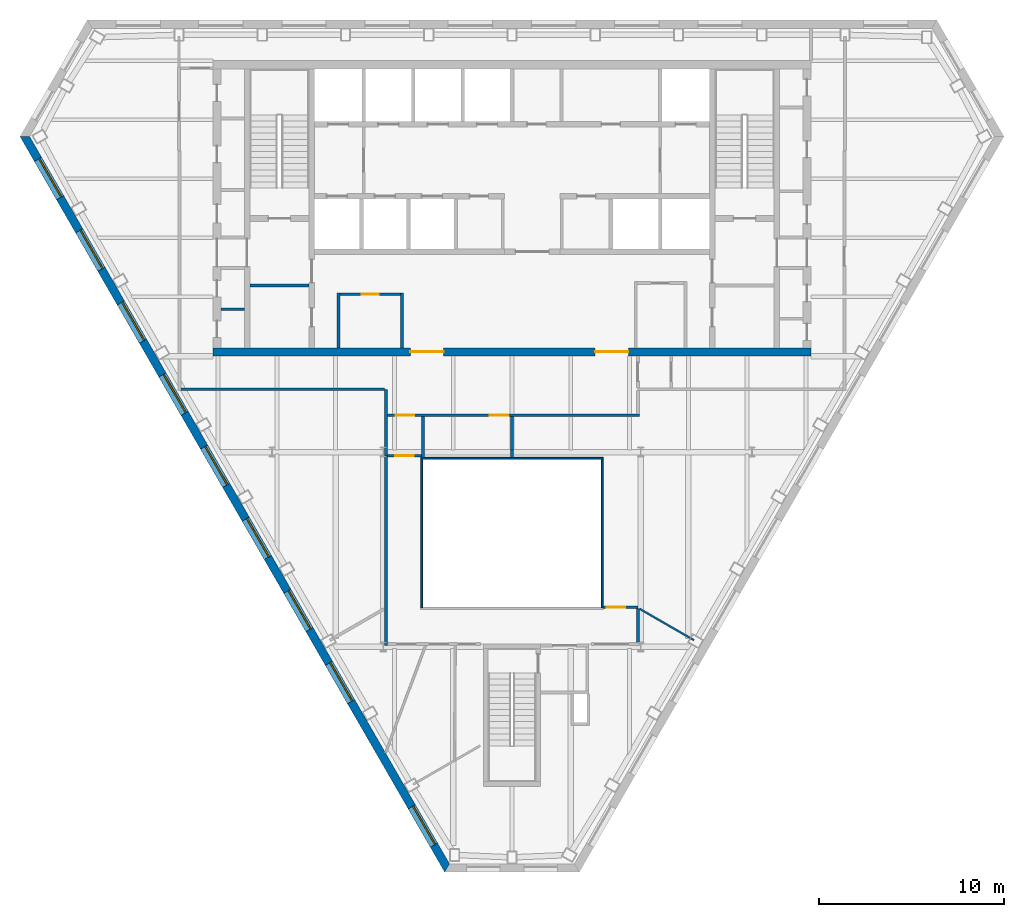
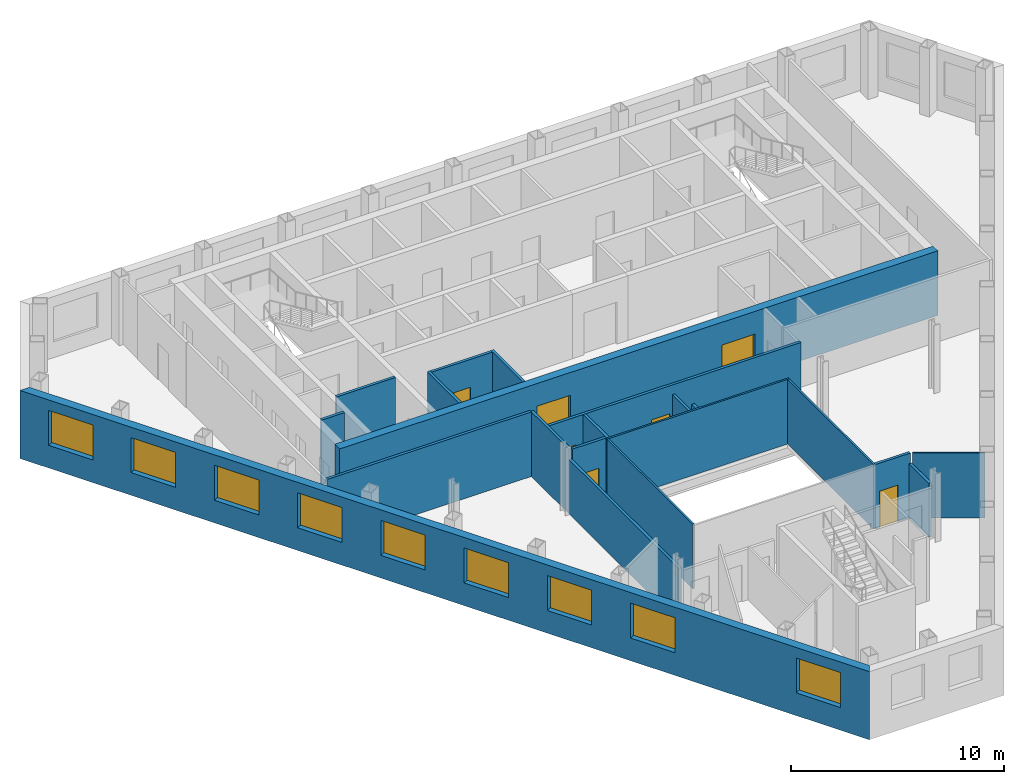
# One storey, part 4 of 11: 21 walls, 9 windows, 7 doors, 16 openings.
"""IFC4 building model written with IfcOpenShell, lengths in metres."""

from ifc_helpers import new_model, si_unit, direction, frame, frame_2d, origin, place, context, subcontext, project, spatial, polyline, rectangle, outline, extrude, material, layer, layer_set, type_object, element, fill, save


model = new_model("IFC4")

# Units and contexts
model_context = context("Model", 3, precision=1e-05, world=origin(), true_north=direction((0.0, 1.0)))
body_context = subcontext(model_context, "Body", "Model", "MODEL_VIEW")
ifc_project = project(units=[si_unit("LENGTHUNIT", "METRE"), si_unit("AREAUNIT", "SQUARE_METRE"), si_unit("VOLUMEUNIT", "CUBIC_METRE"), si_unit("PLANEANGLEUNIT", "RADIAN"), si_unit("MASSUNIT", "GRAM", prefix="KILO")], contexts=[model_context])

# Site, building, storey
site_placement = place(None, origin())
site = spatial("IfcSite", under=ifc_project, at=site_placement, CompositionType="ELEMENT")
building_placement = place(site_placement, origin())
building = spatial("IfcBuilding", under=site, at=building_placement, Name="Njiva Tower", CompositionType="ELEMENT")
storey_placement = place(building_placement, frame((0.0, 0.0, 208.2)))
storey = spatial("IfcBuildingStorey", under=building, at=storey_placement, Name="L46", CompositionType="ELEMENT", Elevation=208.2)

# Walls
ifc_material_1 = material(Name="Blockwork", Category="masonry")
ifc_layer_1 = layer(ifc_material_1, 0.15)
ifc_layer_set_1 = layer_set([ifc_layer_1], Name="Blockwork")
wall_type_1 = type_object("IfcWallType", Name="WT1 Compartment partition 150", PredefinedType="PARTITIONING", material=ifc_layer_set_1)
wall_1_placement = place(storey_placement, frame((-14.2, 5.825, 0.0), z_axis=(0.0, 0.0, 1.0), x_axis=(1.0, 0.0, 0.0)))
element("IfcWall", 1, at=wall_1_placement, inside=storey, type_object=wall_type_1, Name="Room wall A", PredefinedType="PARTITIONING", context=body_context, shape_type="SweptSolid", body=[
    extrude(rectangle(XDim=3.2, YDim=0.15, at=frame_2d((1.6, 0.0))), origin(), (0.0, 0.0, 1.0), 3.7),
])
wall_2_placement = place(storey_placement, frame((-15.75, 4.5363, 0.0), z_axis=(0.0, 0.0, 1.0), x_axis=(1.0, 0.0, 0.0)))
element("IfcWall", 2, at=wall_2_placement, inside=storey, type_object=wall_type_1, Name="Partition strip W00", PredefinedType="PARTITIONING", context=body_context, shape_type="SweptSolid", body=[
    extrude(rectangle(XDim=1.25, YDim=0.15, at=frame_2d((0.625, 0.0))), origin(), (0.0, 0.0, 1.0), 3.7),
])
for number, where, z_axis, x_axis, name in (
    (3, (-9.4, 2.45, 0.0), (0.0, 0.0, 1.0), (0.0, 1.0, 0.0), "Post room wall west"),
    (4, (-5.95, 2.45, 0.0), (0.0, 0.0, 1.0), (0.0, 1.0, 0.0), "Post room wall east"),
):
    element("IfcWall", number, at=place(storey_placement, frame(where, z_axis=z_axis, x_axis=x_axis)), inside=storey, type_object=wall_type_1, Name=name, PredefinedType="PARTITIONING", context=body_context, shape_type="SweptSolid", body=[
        extrude(rectangle(XDim=2.975, YDim=0.15, at=frame_2d((1.4875, 0.0))), origin(), (0.0, 0.0, 1.0), 3.7),
    ])

# Wall, opening, door
wall_3_placement = place(storey_placement, frame((-9.325, 5.35, 0.0), z_axis=(0.0, 0.0, 1.0), x_axis=(1.0, 0.0, 0.0)))
wall_3 = element("IfcWall", 5, at=wall_3_placement, inside=storey, type_object=wall_type_1, Name="Post room wall north", PredefinedType="PARTITIONING", context=body_context, shape_type="SweptSolid", body=[
    extrude(rectangle(XDim=3.3, YDim=0.15, at=frame_2d((1.65, 0.0))), origin(), (0.0, 0.0, 1.0), 3.7),
])
opening_1_placement = place(wall_3_placement, frame((1.2, 0.0, 0.0)))
opening_1 = element("IfcOpeningElement", 6, at=opening_1_placement, cuts=wall_3, Name="Opening S15-D935", PredefinedType="OPENING", context=body_context, shape_type="SweptSolid", body=[
    extrude(rectangle(XDim=0.9, YDim=2.1, at=frame_2d((0.45, 1.05))), frame((0.0, 0.085, 0.0), z_axis=(0.0, -1.0, 0.0), x_axis=(1.0, 0.0, 0.0)), (0.0, 0.0, 1.0), 0.17),
])
ifc_material_2 = material(Name="Steel fire door, painted", Category="steel")
door_type_1 = type_object("IfcDoorType", Name="D6 Fire-rated door 900x2100", OperationType="SINGLE_SWING_LEFT", PredefinedType="DOOR", material=ifc_material_2)
door_1_placement = place(opening_1_placement, origin())
door_1 = element("IfcDoor", 7, at=door_1_placement, inside=storey, type_object=door_type_1, Name="Post room door", OperationType="SINGLE_SWING_RIGHT", OverallHeight=2.1, OverallWidth=0.9, PredefinedType="DOOR", context=body_context, shape_type="SweptSolid", body=[
    extrude(rectangle(XDim=0.9, YDim=2.1, at=frame_2d((0.45, 1.05))), frame((0.0, 0.025, 0.0), z_axis=(0.0, -1.0, 0.0), x_axis=(1.0, 0.0, 0.0)), (0.0, 0.0, 1.0), 0.05),
])
fill(opening_1, door_1)

# Wall, openings, doors
ifc_material_3 = material(Name="Concrete C60/75", Category="concrete")
ifc_layer_2 = layer(ifc_material_3, 0.45)
ifc_layer_set_2 = layer_set([ifc_layer_2], Name="Concrete C60/75")
wall_type_2 = type_object("IfcWallType", Name="WT12 Core wall 450", PredefinedType="SHEAR", material=ifc_layer_set_2)
wall_4_placement = place(storey_placement, frame((-16.2, 2.225, 0.0), z_axis=(0.0, 0.0, 1.0), x_axis=(1.0, 0.0, 0.0)))
wall_4 = element("IfcWall", 8, at=wall_4_placement, inside=storey, type_object=wall_type_2, Name="Core wall south", PredefinedType="SHEAR", context=body_context, shape_type="SweptSolid", body=[
    extrude(rectangle(XDim=32.4, YDim=0.45, at=frame_2d((16.2, 0.0))), origin(), (0.0, 0.0, 1.0), 3.7),
])
opening_2_placement = place(wall_4_placement, frame((10.7, 0.0, 0.0)))
opening_2 = element("IfcOpeningElement", 9, at=opening_2_placement, cuts=wall_4, Name="Opening S15-D938", PredefinedType="OPENING", context=body_context, shape_type="SweptSolid", body=[
    extrude(rectangle(XDim=1.8, YDim=2.4, at=frame_2d((0.9, 1.2))), frame((0.0, 0.235, 0.0), z_axis=(0.0, -1.0, 0.0), x_axis=(1.0, 0.0, 0.0)), (0.0, 0.0, 1.0), 0.47),
])
opening_3_placement = place(wall_4_placement, frame((20.7, 0.0, 0.0)))
opening_3 = element("IfcOpeningElement", 10, at=opening_3_placement, cuts=wall_4, Name="Opening S15-D939", PredefinedType="OPENING", context=body_context, shape_type="SweptSolid", body=[
    extrude(rectangle(XDim=1.8, YDim=2.4, at=frame_2d((0.9, 1.2))), frame((0.0, 0.235, 0.0), z_axis=(0.0, -1.0, 0.0), x_axis=(1.0, 0.0, 0.0)), (0.0, 0.0, 1.0), 0.47),
])
ifc_material_4 = material(Name="Steel and glass door", Category="steel")
door_type_2 = type_object("IfcDoorType", Name="D3 Core entrance door 1800x2400", OperationType="DOUBLE_DOOR_SINGLE_SWING", PredefinedType="DOOR", material=ifc_material_4)
door_2_placement = place(opening_2_placement, origin())
door_2 = element("IfcDoor", 11, at=door_2_placement, inside=storey, type_object=door_type_2, Name="Core entrance door", OperationType="DOUBLE_DOOR_SINGLE_SWING", OverallHeight=2.4, OverallWidth=1.8, PredefinedType="DOOR", context=body_context, shape_type="SweptSolid", body=[
    extrude(rectangle(XDim=1.8, YDim=2.4, at=frame_2d((0.9, 1.2))), frame((0.0, 0.025, 0.0), z_axis=(0.0, -1.0, 0.0), x_axis=(1.0, 0.0, 0.0)), (0.0, 0.0, 1.0), 0.05),
])
fill(opening_2, door_2)
door_3_placement = place(opening_3_placement, origin())
door_3 = element("IfcDoor", 12, at=door_3_placement, inside=storey, type_object=door_type_2, Name="Core entrance door", OperationType="DOUBLE_DOOR_SINGLE_SWING", OverallHeight=2.4, OverallWidth=1.8, PredefinedType="DOOR", context=body_context, shape_type="SweptSolid", body=[
    extrude(rectangle(XDim=1.8, YDim=2.4, at=frame_2d((0.9, 1.2))), frame((0.0, 0.025, 0.0), z_axis=(0.0, -1.0, 0.0), x_axis=(1.0, 0.0, 0.0)), (0.0, 0.0, 1.0), 0.05),
])
fill(opening_3, door_3)

# Walls
ifc_material_5 = material(Name="Gypsum board on steel studs", Category="gypsum")
ifc_layer_3 = layer(ifc_material_5, 0.1)
ifc_layer_set_3 = layer_set([ifc_layer_3], Name="Gypsum board on steel studs")
wall_type_3 = type_object("IfcWallType", Name="WT20 Gypsum partition 100", PredefinedType="PARTITIONING", material=ifc_layer_set_3)
wall_5_placement = place(storey_placement, frame((6.92, -11.693, 0.0), z_axis=(0.0, 0.0, 1.0), x_axis=(0.866259181428, -0.499594866458, 0.0)))
element("IfcWall", 13, at=wall_5_placement, inside=storey, type_object=wall_type_3, Name="Partition S15-P023", PredefinedType="PARTITIONING", context=body_context, shape_type="SweptSolid", body=[
    extrude(rectangle(XDim=3.3927, YDim=0.1, at=frame_2d((1.6964, 0.0))), origin(), (0.0, 0.0, 1.0), 3.7),
])
ifc_layer_4 = layer(ifc_material_5, 0.15)
ifc_layer_set_4 = layer_set([ifc_layer_4], Name="Gypsum board on steel studs")
wall_type_4 = type_object("IfcWallType", Name="WT21 Compartment wall 150", PredefinedType="PARTITIONING", material=ifc_layer_set_4)
wall_6_placement = place(storey_placement, frame((-17.925, 0.2, 0.0), z_axis=(0.0, 0.0, 1.0), x_axis=(1.0, 0.0, 0.0)))
element("IfcWall", 14, at=wall_6_placement, inside=storey, type_object=wall_type_4, Name="Partition S15-P005", PredefinedType="PARTITIONING", context=body_context, shape_type="SweptSolid", body=[
    extrude(rectangle(XDim=11.03, YDim=0.15, at=frame_2d((5.515, 0.0))), origin(), (0.0, 0.0, 1.0), 3.7),
])
wall_7_placement = place(storey_placement, frame((-6.82, -13.675, 0.0), z_axis=(0.0, 0.0, 1.0), x_axis=(0.0, 1.0, 0.0)))
element("IfcWall", 15, at=wall_7_placement, inside=storey, type_object=wall_type_4, Name="Partition S15-P008", PredefinedType="PARTITIONING", context=body_context, shape_type="SweptSolid", body=[
    extrude(rectangle(XDim=10.263, YDim=0.15, at=frame_2d((5.1315, 0.0))), origin(), (0.0, 0.0, 1.0), 3.11),
])
wall_8_placement = place(storey_placement, frame((-6.82, -3.412, 0.0), z_axis=(0.0, 0.0, 1.0), x_axis=(0.0, 1.0, 0.0)))
element("IfcWall", 16, at=wall_8_placement, inside=storey, type_object=wall_type_4, Name="Partition S15-P008A", PredefinedType="PARTITIONING", context=body_context, shape_type="SweptSolid", body=[
    extrude(rectangle(XDim=3.607, YDim=0.15, at=frame_2d((1.8035, 0.0))), origin(), (0.0, 0.0, 1.0), 3.7),
])

# Wall, opening, door
wall_9_placement = place(storey_placement, frame((-6.745, -3.4, 0.0), z_axis=(0.0, 0.0, 1.0), x_axis=(1.0, 0.0, 0.0)))
wall_9 = element("IfcWall", 17, at=wall_9_placement, inside=storey, type_object=wall_type_4, Name="Partition S15-P010", PredefinedType="PARTITIONING", context=body_context, shape_type="SweptSolid", body=[
    extrude(rectangle(XDim=1.851, YDim=0.15, at=frame_2d((0.9255, 0.0))), origin(), (0.0, 0.0, 1.0), 3.7),
])
opening_4_placement = place(wall_9_placement, frame((0.425, 0.0, 0.0)))
opening_4 = element("IfcOpeningElement", 18, at=opening_4_placement, cuts=wall_9, Name="Opening S15-D006", PredefinedType="OPENING", context=body_context, shape_type="SweptSolid", body=[
    extrude(rectangle(XDim=1.0, YDim=2.1, at=frame_2d((0.5, 1.05))), frame((0.0, 0.085, 0.0), z_axis=(0.0, -1.0, 0.0), x_axis=(1.0, 0.0, 0.0)), (0.0, 0.0, 1.0), 0.17),
])
ifc_material_6 = material(Name="Steel fire door set", Category="steel")
door_type_3 = type_object("IfcDoorType", Name="D37 Fire door 1000x2100", OperationType="SINGLE_SWING_LEFT", PredefinedType="DOOR", material=ifc_material_6)
door_4_placement = place(opening_4_placement, origin())
door_4 = element("IfcDoor", 19, at=door_4_placement, inside=storey, type_object=door_type_3, Name="Door S15-D006", OperationType="SINGLE_SWING_RIGHT", OverallHeight=2.1, OverallWidth=1.0, PredefinedType="DOOR", context=body_context, shape_type="SweptSolid", body=[
    extrude(rectangle(XDim=1.0, YDim=2.1, at=frame_2d((0.5, 1.05))), frame((0.0, 0.025, 0.0), z_axis=(0.0, -1.0, 0.0), x_axis=(1.0, 0.0, 0.0)), (0.0, 0.0, 1.0), 0.05),
])
fill(opening_4, door_4)

# Wall, openings, doors
wall_10_placement = place(storey_placement, frame((-6.745, -1.2, 0.0), z_axis=(0.0, 0.0, 1.0), x_axis=(1.0, 0.0, 0.0)))
wall_10 = element("IfcWall", 20, at=wall_10_placement, inside=storey, type_object=wall_type_4, Name="Partition S15-P011", PredefinedType="PARTITIONING", context=body_context, shape_type="SweptSolid", body=[
    extrude(rectangle(XDim=13.64, YDim=0.15, at=frame_2d((6.82, 0.0))), origin(), (0.0, 0.0, 1.0), 3.7),
])
opening_5_placement = place(wall_10_placement, frame((0.462, 0.0, 0.0)))
opening_5 = element("IfcOpeningElement", 21, at=opening_5_placement, cuts=wall_10, Name="Opening S15-D007", PredefinedType="OPENING", context=body_context, shape_type="SweptSolid", body=[
    extrude(rectangle(XDim=1.0, YDim=2.1, at=frame_2d((0.5, 1.05))), frame((0.0, 0.085, 0.0), z_axis=(0.0, -1.0, 0.0), x_axis=(1.0, 0.0, 0.0)), (0.0, 0.0, 1.0), 0.17),
])
opening_6_placement = place(wall_10_placement, frame((5.544, 0.0, 0.0)))
opening_6 = element("IfcOpeningElement", 22, at=opening_6_placement, cuts=wall_10, Name="Opening S15-D008", PredefinedType="OPENING", context=body_context, shape_type="SweptSolid", body=[
    extrude(rectangle(XDim=1.0, YDim=2.1, at=frame_2d((0.5, 1.05))), frame((0.0, 0.085, 0.0), z_axis=(0.0, -1.0, 0.0), x_axis=(1.0, 0.0, 0.0)), (0.0, 0.0, 1.0), 0.17),
])
door_5_placement = place(opening_5_placement, origin())
door_5 = element("IfcDoor", 23, at=door_5_placement, inside=storey, type_object=door_type_3, Name="Door S15-D007", OperationType="SINGLE_SWING_RIGHT", OverallHeight=2.1, OverallWidth=1.0, PredefinedType="DOOR", context=body_context, shape_type="SweptSolid", body=[
    extrude(rectangle(XDim=1.0, YDim=2.1, at=frame_2d((0.5, 1.05))), frame((0.0, 0.025, 0.0), z_axis=(0.0, -1.0, 0.0), x_axis=(1.0, 0.0, 0.0)), (0.0, 0.0, 1.0), 0.05),
])
fill(opening_5, door_5)
door_6_placement = place(opening_6_placement, origin())
door_6 = element("IfcDoor", 24, at=door_6_placement, inside=storey, type_object=door_type_3, Name="Door S15-D008", OperationType="SINGLE_SWING_LEFT", OverallHeight=2.1, OverallWidth=1.0, PredefinedType="DOOR", context=body_context, shape_type="SweptSolid", body=[
    extrude(rectangle(XDim=1.0, YDim=2.1, at=frame_2d((0.5, 1.05))), frame((0.0, 0.025, 0.0), z_axis=(0.0, -1.0, 0.0), x_axis=(1.0, 0.0, 0.0)), (0.0, 0.0, 1.0), 0.05),
])
fill(opening_6, door_6)

# Walls
wall_11_placement = place(storey_placement, frame((-4.819, -3.48, 0.0), z_axis=(0.0, 0.0, 1.0), x_axis=(-0.000453514693, 0.999999897162, 0.0)))
element("IfcWall", 25, at=wall_11_placement, inside=storey, type_object=wall_type_4, Name="Partition S15-P013", PredefinedType="PARTITIONING", context=body_context, shape_type="SweptSolid", body=[
    extrude(rectangle(XDim=2.205, YDim=0.15, at=frame_2d((1.1025, 0.0))), origin(), (0.0, 0.0, 1.0), 3.7),
])
wall_12_placement = place(storey_placement, frame((0.0, -3.48, 0.0), z_axis=(0.0, 0.0, 1.0), x_axis=(0.0, 1.0, 0.0)))
element("IfcWall", 26, at=wall_12_placement, inside=storey, type_object=wall_type_4, Name="Partition S15-P016", PredefinedType="PARTITIONING", context=body_context, shape_type="SweptSolid", body=[
    extrude(rectangle(XDim=0.38, YDim=0.15, at=frame_2d((0.19, 0.0))), origin(), (0.0, 0.0, 1.0), 3.7),
])
wall_13_placement = place(storey_placement, frame((0.0, -3.1, 0.0), z_axis=(0.0, 0.0, 1.0), x_axis=(0.0, 1.0, 0.0)))
element("IfcWall", 27, at=wall_13_placement, inside=storey, type_object=wall_type_4, Name="Partition S15-P016A", PredefinedType="PARTITIONING", context=body_context, shape_type="SweptSolid", body=[
    extrude(rectangle(XDim=1.825, YDim=0.15, at=frame_2d((0.9125, 0.0))), origin(), (0.0, 0.0, 1.0), 3.15),
])

# Wall, opening, door
wall_14_placement = place(storey_placement, frame((4.94, -11.6, 0.0), z_axis=(0.0, 0.0, 1.0), x_axis=(1.0, 0.0, 0.0)))
wall_14 = element("IfcWall", 28, at=wall_14_placement, inside=storey, type_object=wall_type_4, Name="Partition S15-P018", PredefinedType="PARTITIONING", context=body_context, shape_type="SweptSolid", body=[
    extrude(rectangle(XDim=1.88, YDim=0.15, at=frame_2d((0.94, 0.0))), origin(), (0.0, 0.0, 1.0), 3.7),
])
opening_7_placement = place(wall_14_placement, frame((0.2, 0.0, 0.0)))
opening_7 = element("IfcOpeningElement", 29, at=opening_7_placement, cuts=wall_14, Name="Opening S15-D010", PredefinedType="OPENING", context=body_context, shape_type="SweptSolid", body=[
    extrude(rectangle(XDim=1.0, YDim=2.1, at=frame_2d((0.5, 1.05))), frame((0.0, 0.085, 0.0), z_axis=(0.0, -1.0, 0.0), x_axis=(1.0, 0.0, 0.0)), (0.0, 0.0, 1.0), 0.17),
])
door_7_placement = place(opening_7_placement, origin())
door_7 = element("IfcDoor", 30, at=door_7_placement, inside=storey, type_object=door_type_3, Name="Door S15-D010", OperationType="SINGLE_SWING_LEFT", OverallHeight=2.1, OverallWidth=1.0, PredefinedType="DOOR", context=body_context, shape_type="SweptSolid", body=[
    extrude(rectangle(XDim=1.0, YDim=2.1, at=frame_2d((0.5, 1.05))), frame((0.0, 0.025, 0.0), z_axis=(0.0, -1.0, 0.0), x_axis=(1.0, 0.0, 0.0)), (0.0, 0.0, 1.0), 0.05),
])
fill(opening_7, door_7)

# Wall
wall_15_placement = place(storey_placement, frame((6.82, -13.525, 0.0), z_axis=(0.0, 0.0, 1.0), x_axis=(0.0, 1.0, 0.0)))
element("IfcWall", 31, at=wall_15_placement, inside=storey, type_object=wall_type_4, Name="Partition S15-P019", PredefinedType="PARTITIONING", context=body_context, shape_type="SweptSolid", body=[
    extrude(rectangle(XDim=1.85, YDim=0.15, at=frame_2d((0.925, 0.0))), origin(), (0.0, 0.0, 1.0), 3.11),
])

# Wall, openings, windows
ifc_material_7 = material(Name="Brick masonry", Category="masonry")
ifc_layer_5 = layer(ifc_material_7, 0.45)
ifc_layer_set_5 = layer_set([ifc_layer_5], Name="Brick masonry")
wall_type_5 = type_object("IfcWallType", Name="WT90 Brick pier and spandrel wall 450", PredefinedType="SOLIDWALL", material=ifc_layer_set_5)
wall_16_placement = place(storey_placement, frame((-26.3852, 13.8867, -0.4), z_axis=(0.0, 0.0, 1.0), x_axis=(0.499999764979, -0.866025539474, 0.0)))
wall_16 = element("IfcWall", 32, at=wall_16_placement, inside=storey, type_object=wall_type_5, Name="Facade wall SW", PredefinedType="SOLIDWALL", context=body_context, shape_type="SweptSolid", body=[
    extrude(outline(polyline([(-0.1299, -0.225), (45.8701, -0.225), (45.6103, 0.225), (0.1299, 0.225), (-0.1299, -0.225)])), origin(), (0.0, 0.0, 1.0), 3.9),
])
opening_8_placement = place(wall_16_placement, frame((1.4242, 0.0, 1.3)))
opening_8 = element("IfcOpeningElement", 33, at=opening_8_placement, cuts=wall_16, Name="Opening S15-W12", PredefinedType="OPENING", context=body_context, shape_type="SweptSolid", body=[
    extrude(rectangle(XDim=2.4, YDim=2.0, at=frame_2d((1.2, 1.0))), frame((0.0, 0.235, 0.0), z_axis=(0.0, -1.0, 0.0), x_axis=(1.0, 0.0, 0.0)), (0.0, 0.0, 1.0), 0.47),
])
opening_9_placement = place(wall_16_placement, frame((5.8934, 0.0, 1.3)))
opening_9 = element("IfcOpeningElement", 34, at=opening_9_placement, cuts=wall_16, Name="Opening S15-W13", PredefinedType="OPENING", context=body_context, shape_type="SweptSolid", body=[
    extrude(rectangle(XDim=2.4, YDim=2.0, at=frame_2d((1.2, 1.0))), frame((0.0, 0.235, 0.0), z_axis=(0.0, -1.0, 0.0), x_axis=(1.0, 0.0, 0.0)), (0.0, 0.0, 1.0), 0.47),
])
opening_10_placement = place(wall_16_placement, frame((10.401, 0.0, 1.3)))
opening_10 = element("IfcOpeningElement", 35, at=opening_10_placement, cuts=wall_16, Name="Opening S15-W14", PredefinedType="OPENING", context=body_context, shape_type="SweptSolid", body=[
    extrude(rectangle(XDim=2.4, YDim=2.0, at=frame_2d((1.2, 1.0))), frame((0.0, 0.235, 0.0), z_axis=(0.0, -1.0, 0.0), x_axis=(1.0, 0.0, 0.0)), (0.0, 0.0, 1.0), 0.47),
])
opening_11_placement = place(wall_16_placement, frame((14.9087, 0.0, 1.3)))
opening_11 = element("IfcOpeningElement", 36, at=opening_11_placement, cuts=wall_16, Name="Opening S15-W15", PredefinedType="OPENING", context=body_context, shape_type="SweptSolid", body=[
    extrude(rectangle(XDim=2.4, YDim=2.0, at=frame_2d((1.2, 1.0))), frame((0.0, 0.235, 0.0), z_axis=(0.0, -1.0, 0.0), x_axis=(1.0, 0.0, 0.0)), (0.0, 0.0, 1.0), 0.47),
])
opening_12_placement = place(wall_16_placement, frame((19.4163, 0.0, 1.3)))
opening_12 = element("IfcOpeningElement", 37, at=opening_12_placement, cuts=wall_16, Name="Opening S15-W16", PredefinedType="OPENING", context=body_context, shape_type="SweptSolid", body=[
    extrude(rectangle(XDim=2.4, YDim=2.0, at=frame_2d((1.2, 1.0))), frame((0.0, 0.235, 0.0), z_axis=(0.0, -1.0, 0.0), x_axis=(1.0, 0.0, 0.0)), (0.0, 0.0, 1.0), 0.47),
])
opening_13_placement = place(wall_16_placement, frame((23.9239, 0.0, 1.3)))
opening_13 = element("IfcOpeningElement", 38, at=opening_13_placement, cuts=wall_16, Name="Opening S15-W17", PredefinedType="OPENING", context=body_context, shape_type="SweptSolid", body=[
    extrude(rectangle(XDim=2.4, YDim=2.0, at=frame_2d((1.2, 1.0))), frame((0.0, 0.235, 0.0), z_axis=(0.0, -1.0, 0.0), x_axis=(1.0, 0.0, 0.0)), (0.0, 0.0, 1.0), 0.47),
])
opening_14_placement = place(wall_16_placement, frame((28.4315, 0.0, 1.3)))
opening_14 = element("IfcOpeningElement", 39, at=opening_14_placement, cuts=wall_16, Name="Opening S15-W18", PredefinedType="OPENING", context=body_context, shape_type="SweptSolid", body=[
    extrude(rectangle(XDim=2.4, YDim=2.0, at=frame_2d((1.2, 1.0))), frame((0.0, 0.235, 0.0), z_axis=(0.0, -1.0, 0.0), x_axis=(1.0, 0.0, 0.0)), (0.0, 0.0, 1.0), 0.47),
])
opening_15_placement = place(wall_16_placement, frame((32.9391, 0.0, 1.3)))
opening_15 = element("IfcOpeningElement", 40, at=opening_15_placement, cuts=wall_16, Name="Opening S15-W19", PredefinedType="OPENING", context=body_context, shape_type="SweptSolid", body=[
    extrude(rectangle(XDim=2.4, YDim=2.0, at=frame_2d((1.2, 1.0))), frame((0.0, 0.235, 0.0), z_axis=(0.0, -1.0, 0.0), x_axis=(1.0, 0.0, 0.0)), (0.0, 0.0, 1.0), 0.47),
])
opening_16_placement = place(wall_16_placement, frame((41.916, 0.0, 1.3)))
opening_16 = element("IfcOpeningElement", 41, at=opening_16_placement, cuts=wall_16, Name="Opening S15-W20", PredefinedType="OPENING", context=body_context, shape_type="SweptSolid", body=[
    extrude(rectangle(XDim=2.4, YDim=2.0, at=frame_2d((1.2, 1.0))), frame((0.0, 0.235, 0.0), z_axis=(0.0, -1.0, 0.0), x_axis=(1.0, 0.0, 0.0)), (0.0, 0.0, 1.0), 0.47),
])
ifc_material_8 = material(Name="Clear glazing in aluminium frame", Category="aluminium")
window_type = type_object("IfcWindowType", Name="W90 Deep-set window 2400x2000", PartitioningType="SINGLE_PANEL", PredefinedType="WINDOW", material=ifc_material_8)
window_1_placement = place(opening_8_placement, origin())
window_1 = element("IfcWindow", 42, at=window_1_placement, inside=storey, type_object=window_type, Name="Window", OverallHeight=2.0, OverallWidth=2.4, PartitioningType="SINGLE_PANEL", PredefinedType="WINDOW", context=body_context, shape_type="SweptSolid", body=[
    extrude(rectangle(XDim=2.4, YDim=2.0, at=frame_2d((1.2, 1.0))), frame((0.0, 0.105, 0.0), z_axis=(0.0, -1.0, 0.0), x_axis=(1.0, 0.0, 0.0)), (0.0, 0.0, 1.0), 0.06),
])
fill(opening_8, window_1)
window_2_placement = place(opening_9_placement, origin())
window_2 = element("IfcWindow", 43, at=window_2_placement, inside=storey, type_object=window_type, Name="Window", OverallHeight=2.0, OverallWidth=2.4, PartitioningType="SINGLE_PANEL", PredefinedType="WINDOW", context=body_context, shape_type="SweptSolid", body=[
    extrude(rectangle(XDim=2.4, YDim=2.0, at=frame_2d((1.2, 1.0))), frame((0.0, 0.105, 0.0), z_axis=(0.0, -1.0, 0.0), x_axis=(1.0, 0.0, 0.0)), (0.0, 0.0, 1.0), 0.06),
])
fill(opening_9, window_2)
window_3_placement = place(opening_10_placement, origin())
window_3 = element("IfcWindow", 44, at=window_3_placement, inside=storey, type_object=window_type, Name="Window", OverallHeight=2.0, OverallWidth=2.4, PartitioningType="SINGLE_PANEL", PredefinedType="WINDOW", context=body_context, shape_type="SweptSolid", body=[
    extrude(rectangle(XDim=2.4, YDim=2.0, at=frame_2d((1.2, 1.0))), frame((0.0, 0.105, 0.0), z_axis=(0.0, -1.0, 0.0), x_axis=(1.0, 0.0, 0.0)), (0.0, 0.0, 1.0), 0.06),
])
fill(opening_10, window_3)
window_4_placement = place(opening_11_placement, origin())
window_4 = element("IfcWindow", 45, at=window_4_placement, inside=storey, type_object=window_type, Name="Window", OverallHeight=2.0, OverallWidth=2.4, PartitioningType="SINGLE_PANEL", PredefinedType="WINDOW", context=body_context, shape_type="SweptSolid", body=[
    extrude(rectangle(XDim=2.4, YDim=2.0, at=frame_2d((1.2, 1.0))), frame((0.0, 0.105, 0.0), z_axis=(0.0, -1.0, 0.0), x_axis=(1.0, 0.0, 0.0)), (0.0, 0.0, 1.0), 0.06),
])
fill(opening_11, window_4)
window_5_placement = place(opening_12_placement, origin())
window_5 = element("IfcWindow", 46, at=window_5_placement, inside=storey, type_object=window_type, Name="Window", OverallHeight=2.0, OverallWidth=2.4, PartitioningType="SINGLE_PANEL", PredefinedType="WINDOW", context=body_context, shape_type="SweptSolid", body=[
    extrude(rectangle(XDim=2.4, YDim=2.0, at=frame_2d((1.2, 1.0))), frame((0.0, 0.105, 0.0), z_axis=(0.0, -1.0, 0.0), x_axis=(1.0, 0.0, 0.0)), (0.0, 0.0, 1.0), 0.06),
])
fill(opening_12, window_5)
window_6_placement = place(opening_13_placement, origin())
window_6 = element("IfcWindow", 47, at=window_6_placement, inside=storey, type_object=window_type, Name="Window", OverallHeight=2.0, OverallWidth=2.4, PartitioningType="SINGLE_PANEL", PredefinedType="WINDOW", context=body_context, shape_type="SweptSolid", body=[
    extrude(rectangle(XDim=2.4, YDim=2.0, at=frame_2d((1.2, 1.0))), frame((0.0, 0.105, 0.0), z_axis=(0.0, -1.0, 0.0), x_axis=(1.0, 0.0, 0.0)), (0.0, 0.0, 1.0), 0.06),
])
fill(opening_13, window_6)
window_7_placement = place(opening_14_placement, origin())
window_7 = element("IfcWindow", 48, at=window_7_placement, inside=storey, type_object=window_type, Name="Window", OverallHeight=2.0, OverallWidth=2.4, PartitioningType="SINGLE_PANEL", PredefinedType="WINDOW", context=body_context, shape_type="SweptSolid", body=[
    extrude(rectangle(XDim=2.4, YDim=2.0, at=frame_2d((1.2, 1.0))), frame((0.0, 0.105, 0.0), z_axis=(0.0, -1.0, 0.0), x_axis=(1.0, 0.0, 0.0)), (0.0, 0.0, 1.0), 0.06),
])
fill(opening_14, window_7)
window_8_placement = place(opening_15_placement, origin())
window_8 = element("IfcWindow", 49, at=window_8_placement, inside=storey, type_object=window_type, Name="Window", OverallHeight=2.0, OverallWidth=2.4, PartitioningType="SINGLE_PANEL", PredefinedType="WINDOW", context=body_context, shape_type="SweptSolid", body=[
    extrude(rectangle(XDim=2.4, YDim=2.0, at=frame_2d((1.2, 1.0))), frame((0.0, 0.105, 0.0), z_axis=(0.0, -1.0, 0.0), x_axis=(1.0, 0.0, 0.0)), (0.0, 0.0, 1.0), 0.06),
])
fill(opening_15, window_8)
window_9_placement = place(opening_16_placement, origin())
window_9 = element("IfcWindow", 50, at=window_9_placement, inside=storey, type_object=window_type, Name="Window", OverallHeight=2.0, OverallWidth=2.4, PartitioningType="SINGLE_PANEL", PredefinedType="WINDOW", context=body_context, shape_type="SweptSolid", body=[
    extrude(rectangle(XDim=2.4, YDim=2.0, at=frame_2d((1.2, 1.0))), frame((0.0, 0.105, 0.0), z_axis=(0.0, -1.0, 0.0), x_axis=(1.0, 0.0, 0.0)), (0.0, 0.0, 1.0), 0.06),
])
fill(opening_16, window_9)

# Walls
ifc_material_9 = material(Name="Fire-resisting glazing EI 90", Category="glass")
ifc_layer_6 = layer(ifc_material_9, 0.1)
ifc_layer_set_6 = layer_set([ifc_layer_6], Name="Fire-resisting glazing EI 90")
wall_type_6 = type_object("IfcWallType", Name="WT95 Fire-resisting glazed screen EI 90", PredefinedType="PARTITIONING", material=ifc_layer_set_6)
wall_17_placement = place(storey_placement, frame((4.89, -11.62, 0.0), z_axis=(0.0, 0.0, 1.0), x_axis=(0.0, 1.0, 0.0)))
element("IfcWall", 51, at=wall_17_placement, inside=storey, type_object=wall_type_6, Name="Atrium fire screen east", PredefinedType="PARTITIONING", context=body_context, shape_type="SweptSolid", body=[
    extrude(rectangle(XDim=8.04, YDim=0.1, at=frame_2d((4.02, 0.0))), origin(), (0.0, 0.0, 1.0), 3.7),
])
wall_18_placement = place(storey_placement, frame((4.94, -3.53, 0.0), z_axis=(0.0, 0.0, 1.0), x_axis=(-1.0, 0.0, 0.0)))
element("IfcWall", 52, at=wall_18_placement, inside=storey, type_object=wall_type_6, Name="Atrium fire screen north", PredefinedType="PARTITIONING", context=body_context, shape_type="SweptSolid", body=[
    extrude(rectangle(XDim=9.88, YDim=0.1, at=frame_2d((4.94, 0.0))), origin(), (0.0, 0.0, 1.0), 3.7),
])
wall_19_placement = place(storey_placement, frame((-4.89, -3.58, 0.0), z_axis=(0.0, 0.0, 1.0), x_axis=(0.0, -1.0, 0.0)))
element("IfcWall", 53, at=wall_19_placement, inside=storey, type_object=wall_type_6, Name="Atrium fire screen west", PredefinedType="PARTITIONING", context=body_context, shape_type="SweptSolid", body=[
    extrude(rectangle(XDim=8.04, YDim=0.1, at=frame_2d((4.02, 0.0))), origin(), (0.0, 0.0, 1.0), 3.7),
])

save(model, "model.ifc")
